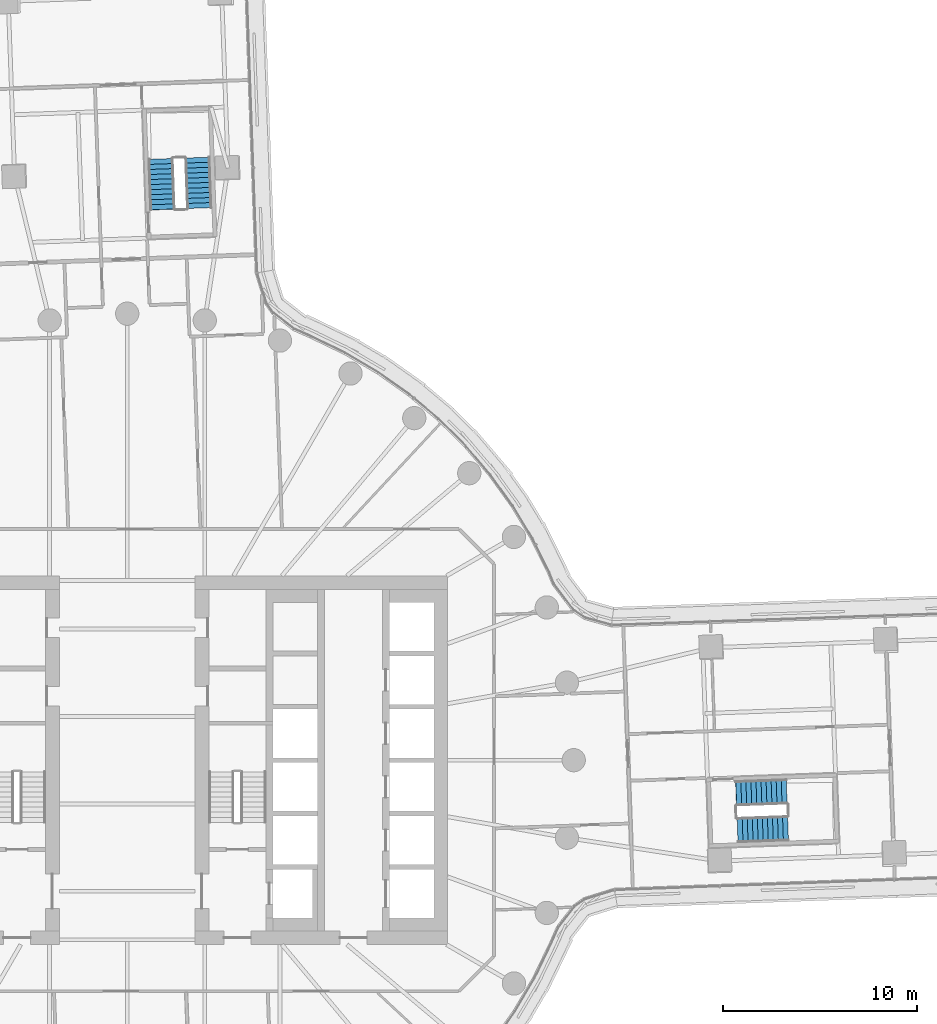
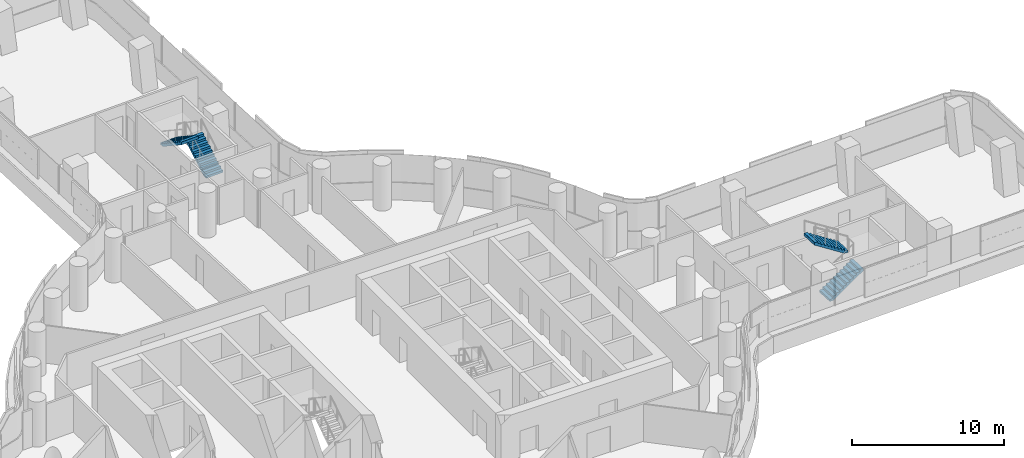
# One storey, part 24 of 31: 4 stair flights, 2 elements without a shape of their own.
"""IFC4 building model written with IfcOpenShell, lengths in metres."""

from ifc_helpers import new_model, si_unit, direction, frame, origin, place, context, subcontext, project, spatial, polyline, outline, extrude, material, type_object, element, aggregate, save


model = new_model("IFC4")

# Units and contexts
model_context = context("Model", 3, precision=1e-05, world=origin(), true_north=direction((0.0, 1.0)))
body_context = subcontext(model_context, "Body", "Model", "MODEL_VIEW")
ifc_project = project(units=[si_unit("LENGTHUNIT", "METRE"), si_unit("AREAUNIT", "SQUARE_METRE"), si_unit("VOLUMEUNIT", "CUBIC_METRE"), si_unit("PLANEANGLEUNIT", "RADIAN"), si_unit("MASSUNIT", "GRAM", prefix="KILO")], contexts=[model_context])

# Site, building, storey
site_placement = place(None, origin())
site = spatial("IfcSite", under=ifc_project, at=site_placement, CompositionType="ELEMENT")
building_placement = place(site_placement, origin())
building = spatial("IfcBuilding", under=site, at=building_placement, Name="Tamarind Cross Interchange Tower", CompositionType="ELEMENT")
storey_placement = place(building_placement, frame((0.0, 0.0, 41.5)))
storey = spatial("IfcBuildingStorey", under=building, at=storey_placement, Name="L08", CompositionType="ELEMENT", Elevation=41.5)

# Stair, stair flights
ifc_material_1 = material(Name="Exit stair")
stair_type = type_object("IfcStairType", Name="Exit stair", PredefinedType="HALF_TURN_STAIR", material=ifc_material_1)
stair_1_placement = place(storey_placement, origin())
stair_1 = element("IfcStair", 1, at=stair_1_placement, inside=storey, type_object=stair_type, Name="L08 exit stair ST3", PredefinedType="HALF_TURN_STAIR")
ifc_material_2 = material(Name="Exit stair flight")
stair_flight_type = type_object("IfcStairFlightType", Name="Exit stair flight", PredefinedType="STRAIGHT", material=ifc_material_2)
stair_flight_1_placement = place(storey_placement, frame((31.437744140625, -3.608154296875, 0.0), z_axis=(0.0, 0.0, 1.0), x_axis=(0.999335028671, 0.036462315768, 0.0)))
stair_flight_1 = element("IfcStairFlight", 2, at=stair_flight_1_placement, type_object=stair_flight_type, Name="ST3 flight 1", NumberOfRisers=11, NumberOfTreads=10, PredefinedType="STRAIGHT", RiserHeight=0.170454545, TreadLength=0.26, context=body_context, shape_type="SweptSolid", body=[
    extrude(outline(polyline([(0.0, 0.0), (0.0, 0.17041015625), (0.260009765625, 0.17041015625), (0.260009765625, 0.3408203125), (0.52001953125, 0.3408203125), (0.52001953125, 0.511474609375), (0.780029296875, 0.511474609375), (0.780029296875, 0.681884765625), (1.0400390625, 0.681884765625), (1.0400390625, 0.852294921875), (1.300048828125, 0.852294921875), (1.300048828125, 1.022705078125), (1.56005859375, 1.022705078125), (1.56005859375, 1.193115234375), (1.820068359375, 1.193115234375), (1.820068359375, 1.363525390625), (2.080078125, 1.363525390625), (2.080078125, 1.5341796875), (2.340087890625, 1.5341796875), (2.340087890625, 1.70458984375), (2.60009765625, 1.70458984375), (2.60009765625, 1.875), (2.60009765625, 1.525390625), (0.2734375, 0.0), (0.0, 0.0)])), frame((0.0, 0.64990234375, 0.0), z_axis=(0.0, -1.0, 0.0), x_axis=(1.0, 0.0, 0.0)), (0.0, 0.0, 1.0), 1.300048828125),
])
stair_flight_2_placement = place(storey_placement, frame((33.966796875, -1.61474609375, 1.875), z_axis=(0.0, 0.0, 1.0), x_axis=(-0.999335028671, -0.036462315768, 0.0)))
stair_flight_2 = element("IfcStairFlight", 3, at=stair_flight_2_placement, type_object=stair_flight_type, Name="ST3 flight 2", NumberOfRisers=11, NumberOfTreads=10, PredefinedType="STRAIGHT", RiserHeight=0.170454545, TreadLength=0.26, context=body_context, shape_type="SweptSolid", body=[
    extrude(outline(polyline([(0.0, 0.0), (0.0, 0.17041015625), (0.260009765625, 0.17041015625), (0.260009765625, 0.3408203125), (0.52001953125, 0.3408203125), (0.52001953125, 0.511474609375), (0.780029296875, 0.511474609375), (0.780029296875, 0.681884765625), (1.0400390625, 0.681884765625), (1.0400390625, 0.852294921875), (1.300048828125, 0.852294921875), (1.300048828125, 1.022705078125), (1.56005859375, 1.022705078125), (1.56005859375, 1.193115234375), (1.820068359375, 1.193115234375), (1.820068359375, 1.363525390625), (2.080078125, 1.363525390625), (2.080078125, 1.5341796875), (2.340087890625, 1.5341796875), (2.340087890625, 1.70458984375), (2.60009765625, 1.70458984375), (2.60009765625, 1.7548828125), (2.612060546875, 1.7548828125), (2.612060546875, 1.533203125), (0.2734375, 0.0), (0.0, 0.0)])), frame((0.0, 0.64990234375, 0.0), z_axis=(0.0, -1.0, 0.0), x_axis=(1.0, 0.0, 0.0)), (0.0, 0.0, 1.0), 1.300048828125),
])
aggregate(stair_1, [stair_flight_1, stair_flight_2])

stair_2_placement = place(storey_placement, origin())
stair_2 = element("IfcStair", 4, at=stair_2_placement, inside=storey, type_object=stair_type, Name="L08 exit stair ST4", PredefinedType="HALF_TURN_STAIR")
stair_flight_3_placement = place(storey_placement, frame((3.7177734375, 28.43994140625, 0.0), z_axis=(0.0, 0.0, 1.0), x_axis=(-0.036462315768, 0.999335028671, 0.0)))
stair_flight_3 = element("IfcStairFlight", 5, at=stair_flight_3_placement, type_object=stair_flight_type, Name="ST4 flight 1", NumberOfRisers=11, NumberOfTreads=10, PredefinedType="STRAIGHT", RiserHeight=0.170454545, TreadLength=0.26, context=body_context, shape_type="SweptSolid", body=[
    extrude(outline(polyline([(0.0, 0.0), (0.0, 0.17041015625), (0.260009765625, 0.17041015625), (0.260009765625, 0.3408203125), (0.52001953125, 0.3408203125), (0.52001953125, 0.511474609375), (0.780029296875, 0.511474609375), (0.780029296875, 0.681884765625), (1.0400390625, 0.681884765625), (1.0400390625, 0.852294921875), (1.300048828125, 0.852294921875), (1.300048828125, 1.022705078125), (1.56005859375, 1.022705078125), (1.56005859375, 1.193115234375), (1.820068359375, 1.193115234375), (1.820068359375, 1.363525390625), (2.080078125, 1.363525390625), (2.080078125, 1.5341796875), (2.340087890625, 1.5341796875), (2.340087890625, 1.70458984375), (2.60009765625, 1.70458984375), (2.60009765625, 1.875), (2.60009765625, 1.525390625), (0.2734375, 0.0), (0.0, 0.0)])), frame((0.0, 0.64990234375, 0.0), z_axis=(0.0, -1.0, 0.0), x_axis=(1.0, 0.0, 0.0)), (0.0, 0.0, 1.0), 1.300048828125),
])
stair_flight_4_placement = place(storey_placement, frame((1.72412109375, 30.96875, 1.875), z_axis=(0.0, 0.0, 1.0), x_axis=(0.036462315768, -0.999335028671, 0.0)))
stair_flight_4 = element("IfcStairFlight", 6, at=stair_flight_4_placement, type_object=stair_flight_type, Name="ST4 flight 2", NumberOfRisers=11, NumberOfTreads=10, PredefinedType="STRAIGHT", RiserHeight=0.170454545, TreadLength=0.26, context=body_context, shape_type="SweptSolid", body=[
    extrude(outline(polyline([(0.0, 0.0), (0.0, 0.17041015625), (0.260009765625, 0.17041015625), (0.260009765625, 0.3408203125), (0.52001953125, 0.3408203125), (0.52001953125, 0.511474609375), (0.780029296875, 0.511474609375), (0.780029296875, 0.681884765625), (1.0400390625, 0.681884765625), (1.0400390625, 0.852294921875), (1.300048828125, 0.852294921875), (1.300048828125, 1.022705078125), (1.56005859375, 1.022705078125), (1.56005859375, 1.193115234375), (1.820068359375, 1.193115234375), (1.820068359375, 1.363525390625), (2.080078125, 1.363525390625), (2.080078125, 1.5341796875), (2.340087890625, 1.5341796875), (2.340087890625, 1.70458984375), (2.60009765625, 1.70458984375), (2.60009765625, 1.7548828125), (2.612060546875, 1.7548828125), (2.612060546875, 1.533203125), (0.2734375, 0.0), (0.0, 0.0)])), frame((0.0, 0.64990234375, 0.0), z_axis=(0.0, -1.0, 0.0), x_axis=(1.0, 0.0, 0.0)), (0.0, 0.0, 1.0), 1.300048828125),
])
aggregate(stair_2, [stair_flight_3, stair_flight_4])

save(model, "model.ifc")
